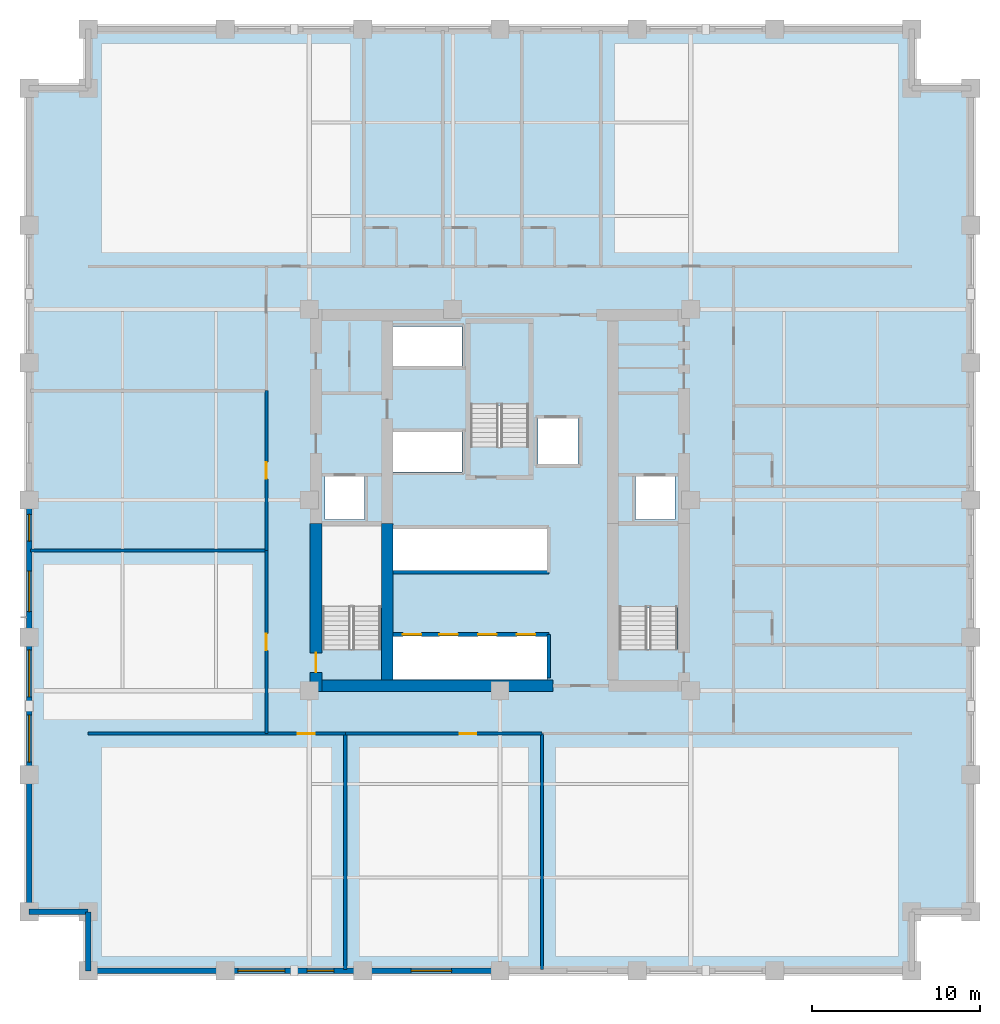
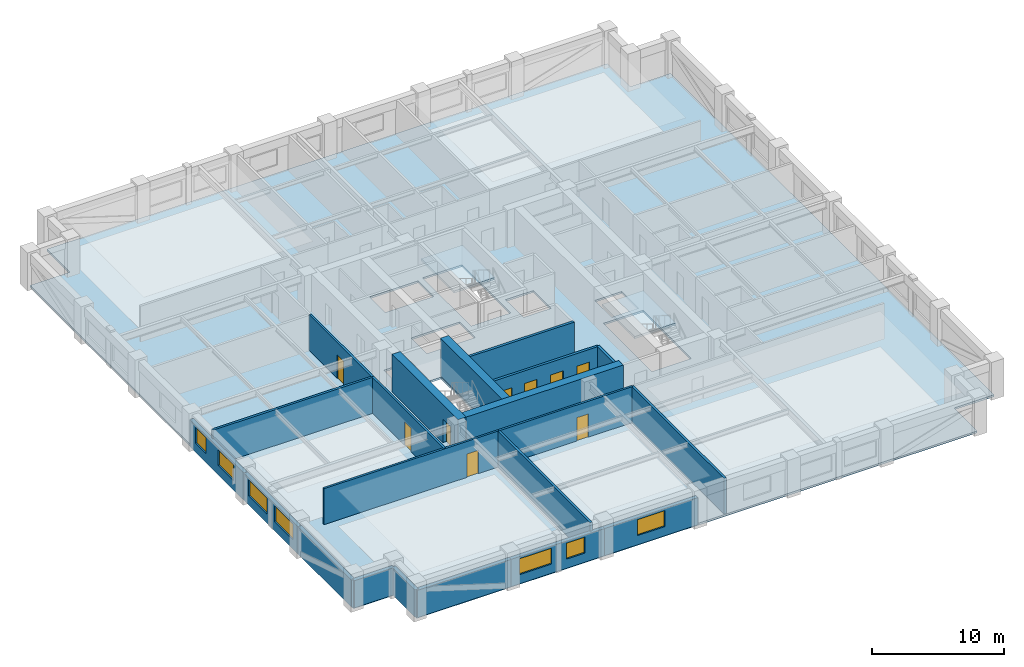
# One storey, part 3 of 12: 21 walls, 9 doors, 7 windows, 3 slabs, 16 openings, 2 elements without a shape of their own.
"""IFC4 building model written with IfcOpenShell, lengths in metres."""

from ifc_helpers import new_model, si_unit, direction, frame, frame_2d, origin, place, context, subcontext, project, spatial, polyline, rectangle, outline, extrude, material, layer, layer_set, type_object, element, fill, aggregate, save


model = new_model("IFC4")

# Units and contexts
model_context = context("Model", 3, precision=1e-05, world=origin(), true_north=direction((0.0, 1.0)))
body_context = subcontext(model_context, "Body", "Model", "MODEL_VIEW")
ifc_project = project(units=[si_unit("LENGTHUNIT", "METRE"), si_unit("AREAUNIT", "SQUARE_METRE"), si_unit("VOLUMEUNIT", "CUBIC_METRE"), si_unit("PLANEANGLEUNIT", "RADIAN"), si_unit("MASSUNIT", "GRAM", prefix="KILO")], contexts=[model_context])

# Site, building, storey
site_placement = place(None, origin())
site = spatial("IfcSite", under=ifc_project, at=site_placement, CompositionType="ELEMENT")
building_placement = place(site_placement, origin())
building = spatial("IfcBuilding", under=site, at=building_placement, Name="Nhamokura Convention Tower", CompositionType="ELEMENT")
storey_placement = place(building_placement, frame((0.0, 0.0, 49.35009765625)))
storey = spatial("IfcBuildingStorey", under=building, at=storey_placement, Name="L10", CompositionType="ELEMENT", Elevation=49.35009765625)

# Slab
ifc_material_1 = material(Name="Concrete C40/50", Category="concrete")
ifc_layer_1 = layer(ifc_material_1, 0.179931640625)
ifc_layer_set_1 = layer_set([ifc_layer_1], Name="HotelFloorSlab_180")
slab_type_1 = type_object("IfcSlabType", Name="HotelFloorSlab_180", PredefinedType="FLOOR", material=ifc_layer_set_1)
slab_1_placement = place(storey_placement, frame((0.0, 0.0, -0.18017578125)))
element("IfcSlab", 1, at=slab_1_placement, inside=storey, type_object=slab_type_1, Name="L10 Structural Floor Slab", PredefinedType="FLOOR", context=body_context, shape_type="SweptSolid", body=[
    extrude(outline(polyline([(7.5, 4.0), (56.5, 4.0), (56.5, 7.5), (60.0, 7.5), (60.0, 56.5), (56.5, 56.5), (56.5, 60.0), (7.5, 60.0), (7.5, 56.5), (4.0, 56.5), (4.0, 7.5), (7.5, 7.5), (7.5, 4.0)]), holes=[polyline([(24.89990234375, 23.10009765625), (24.89990234375, 30.449951171875), (21.449951171875, 30.449951171875), (21.449951171875, 23.10009765625), (24.89990234375, 23.10009765625)]), polyline([(42.550048828125, 23.10009765625), (42.550048828125, 30.449951171875), (39.10009765625, 30.449951171875), (39.10009765625, 23.10009765625), (42.550048828125, 23.10009765625)]), polyline([(33.699951171875, 35.14990234375), (33.699951171875, 42.5), (30.25, 42.5), (30.25, 35.14990234375), (33.699951171875, 35.14990234375)]), polyline([(21.60009765625, 30.85009765625), (23.949951171875, 30.85009765625), (23.949951171875, 33.39990234375), (21.60009765625, 33.39990234375), (21.60009765625, 30.85009765625)]), polyline([(40.050048828125, 30.85009765625), (42.39990234375, 30.85009765625), (42.39990234375, 33.39990234375), (40.050048828125, 33.39990234375), (40.050048828125, 30.85009765625)]), polyline([(34.25, 34.14990234375), (36.64990234375, 34.14990234375), (36.64990234375, 36.85009765625), (34.25, 36.85009765625), (34.25, 34.14990234375)]), polyline([(25.52001953125, 21.320068359375), (34.800048828125, 21.320068359375), (34.800048828125, 23.89990234375), (25.52001953125, 23.89990234375), (25.52001953125, 21.320068359375)]), polyline([(25.52001953125, 27.800048828125), (34.800048828125, 27.800048828125), (34.800048828125, 30.300048828125), (25.52001953125, 30.300048828125), (25.52001953125, 27.800048828125)]), polyline([(25.52001953125, 33.679931640625), (29.75, 33.679931640625), (29.75, 36.050048828125), (25.52001953125, 36.050048828125), (25.52001953125, 33.679931640625)]), polyline([(25.52001953125, 39.949951171875), (29.75, 39.949951171875), (29.75, 42.320068359375), (25.52001953125, 42.320068359375), (25.52001953125, 39.949951171875)])]), origin(), (0.0, 0.0, 1.0), 0.18017578125),
])

# Stair, slab
ifc_material_2 = material(Name="Concrete C40/50", Category="concrete")
stair_type = type_object("IfcStairType", Name="TowerCoreStair_1650", PredefinedType="HALF_TURN_STAIR", material=ifc_material_2)
stair_1_placement = place(storey_placement, origin())
stair_1 = element("IfcStair", 2, at=stair_1_placement, inside=storey, type_object=stair_type, Name="L10 East Core Smokeproof Stair ST-02", PredefinedType="HALF_TURN_STAIR")
ifc_material_3 = material(Name="Concrete C40/50", Category="concrete")
ifc_layer_2 = layer(ifc_material_3, 0.199951171875)
ifc_layer_set_2 = layer_set([ifc_layer_2], Name="StairLandingSlab_200")
slab_type_2 = type_object("IfcSlabType", Name="StairLandingSlab_200", PredefinedType="LANDING", material=ifc_layer_set_2)
slab_2_placement = place(storey_placement, frame((0.0, 0.0, 1.5498046875)))
slab_2 = element("IfcSlab", 3, at=slab_2_placement, type_object=slab_type_2, Name="ST-02 landing 1", PredefinedType="LANDING", context=body_context, shape_type="SweptSolid", body=[
    extrude(outline(polyline([(42.6298828125, 25.5849609375), (42.6298828125, 30.530029296875), (39.02001953125, 30.530029296875), (39.02001953125, 25.5849609375), (42.6298828125, 25.5849609375)])), origin(), (0.0, 0.0, 1.0), 0.2001953125),
])
aggregate(stair_1, [slab_2])

stair_2_placement = place(storey_placement, origin())
stair_2 = element("IfcStair", 4, at=stair_2_placement, inside=storey, type_object=stair_type, Name="L10 North Core Smokeproof Stair ST-03", PredefinedType="HALF_TURN_STAIR")
slab_3_placement = place(storey_placement, frame((0.0, 0.0, 1.5498046875)))
slab_3 = element("IfcSlab", 5, at=slab_3_placement, type_object=slab_type_2, Name="ST-03 landing 1", PredefinedType="LANDING", context=body_context, shape_type="SweptSolid", body=[
    extrude(outline(polyline([(33.780029296875, 37.635009765625), (33.780029296875, 42.580078125), (30.169921875, 42.580078125), (30.169921875, 37.635009765625), (33.780029296875, 37.635009765625)])), origin(), (0.0, 0.0, 1.0), 0.2001953125),
])
aggregate(stair_2, [slab_3])

# Wall
ifc_material_4 = material(Name="Bronze-pigmented precast concrete C45/55", Category="concrete")
ifc_layer_3 = layer(ifc_material_4, 0.320068359375)
ifc_layer_set_3 = layer_set([ifc_layer_3], Name="BronzePrecastSpandrel_320")
wall_type_1 = type_object("IfcWallType", Name="BronzePrecastSpandrel_320", PredefinedType="USERDEFINED", material=ifc_layer_set_3)
wall_1_placement = place(storey_placement, frame((15.666748046875, 4.0, 0.0), z_axis=(0.0, 0.0, 1.0), x_axis=(-1.0, 0.0, 0.0)))
element("IfcWall", 6, at=wall_1_placement, inside=storey, type_object=wall_type_1, Name="L10 Braced-Bay Precast Wall SOUTH 0", ObjectType="SPANDREL_WALL", PredefinedType="USERDEFINED", context=body_context, shape_type="SweptSolid", body=[
    extrude(rectangle(XDim=8.166748046875, YDim=0.320068359375, at=frame_2d((4.08349609375, 0.0))), origin(), (0.0, 0.0, 1.0), 2.52001953125),
])

# Wall, openings, windows
wall_2_placement = place(storey_placement, frame((23.833251953125, 4.0, 0.0), z_axis=(0.0, 0.0, 1.0), x_axis=(-1.0, 0.0, 0.0)))
wall_2 = element("IfcWall", 7, at=wall_2_placement, inside=storey, type_object=wall_type_1, Name="L10 Masonry-Frame Wall SOUTH 1", ObjectType="SPANDREL_WALL", PredefinedType="USERDEFINED", context=body_context, shape_type="SweptSolid", body=[
    extrude(rectangle(XDim=8.16650390625, YDim=0.320068359375, at=frame_2d((4.083251953125, 0.0))), origin(), (0.0, 0.0, 1.0), 2.52001953125),
])
opening_1_placement = place(wall_2_placement, frame((1.708251953125, 0.0, 0.85009765625)))
opening_1 = element("IfcOpeningElement", 8, at=opening_1_placement, cuts=wall_2, Name="Opening W-11", PredefinedType="OPENING", context=body_context, shape_type="SweptSolid", body=[
    extrude(rectangle(XDim=1.60009765625, YDim=1.469970703125, at=frame_2d((0.800048828125, 0.73486328125))), frame((0.0, 0.169921875, 0.0), z_axis=(0.0, -1.0, 0.0), x_axis=(1.0, 0.0, 0.0)), (0.0, 0.0, 1.0), 0.340087890625),
])
opening_2_placement = place(wall_2_placement, frame((4.625, 0.0, 0.85009765625)))
opening_2 = element("IfcOpeningElement", 9, at=opening_2_placement, cuts=wall_2, Name="Opening W-04", PredefinedType="OPENING", context=body_context, shape_type="SweptSolid", body=[
    extrude(rectangle(XDim=2.800048828125, YDim=1.469970703125, at=frame_2d((1.39990234375, 0.73486328125))), frame((0.0, 0.169921875, 0.0), z_axis=(0.0, -1.0, 0.0), x_axis=(1.0, 0.0, 0.0)), (0.0, 0.0, 1.0), 0.340087890625),
])
ifc_material_5 = material(Name="Solar-control bronze low-E double glass", Category="glass")
window_type_1 = type_object("IfcWindowType", Name="HotelSuiteWindow_2800", PartitioningType="DOUBLE_PANEL_VERTICAL", PredefinedType="WINDOW", material=ifc_material_5)
window_1_placement = place(opening_2_placement, origin())
window_1 = element("IfcWindow", 10, at=window_1_placement, inside=storey, type_object=window_type_1, Name="L10 Facade Window SOUTH 1-3", OverallHeight=1.469970703125, OverallWidth=2.800048828125, PartitioningType="SINGLE_PANEL", PredefinedType="WINDOW", context=body_context, shape_type="SweptSolid", body=[
    extrude(rectangle(XDim=2.800048828125, YDim=1.469970703125, at=frame_2d((1.39990234375, 0.73486328125))), frame((0.0, 0.030029296875, 0.0), z_axis=(0.0, -1.0, 0.0), x_axis=(1.0, 0.0, 0.0)), (0.0, 0.0, 1.0), 0.06005859375),
])
fill(opening_2, window_1)
ifc_material_6 = material(Name="Solar-control bronze low-E double glass", Category="glass")
window_type_2 = type_object("IfcWindowType", Name="NotchCornerWindow_1600", PartitioningType="SINGLE_PANEL", PredefinedType="WINDOW", material=ifc_material_6)
window_2_placement = place(opening_1_placement, origin())
window_2 = element("IfcWindow", 11, at=window_2_placement, inside=storey, type_object=window_type_2, Name="L10 Facade Window SOUTH 1-2", OverallHeight=1.469970703125, OverallWidth=1.60009765625, PartitioningType="SINGLE_PANEL", PredefinedType="WINDOW", context=body_context, shape_type="SweptSolid", body=[
    extrude(rectangle(XDim=1.60009765625, YDim=1.469970703125, at=frame_2d((0.800048828125, 0.73486328125))), frame((0.0, 0.030029296875, 0.0), z_axis=(0.0, -1.0, 0.0), x_axis=(1.0, 0.0, 0.0)), (0.0, 0.0, 1.0), 0.06005859375),
])
fill(opening_1, window_2)

# Wall, opening, window
wall_3_placement = place(storey_placement, frame((32.0, 4.0, 0.0), z_axis=(0.0, 0.0, 1.0), x_axis=(-1.0, 0.0, 0.0)))
wall_3 = element("IfcWall", 12, at=wall_3_placement, inside=storey, type_object=wall_type_1, Name="L10 Masonry-Frame Wall SOUTH 2", ObjectType="SPANDREL_WALL", PredefinedType="USERDEFINED", context=body_context, shape_type="SweptSolid", body=[
    extrude(rectangle(XDim=8.166748046875, YDim=0.320068359375, at=frame_2d((4.08349609375, 0.0))), origin(), (0.0, 0.0, 1.0), 2.52001953125),
])
opening_3_placement = place(wall_3_placement, frame((2.88330078125, 0.0, 0.85009765625)))
opening_3 = element("IfcOpeningElement", 13, at=opening_3_placement, cuts=wall_3, Name="Opening W-03", PredefinedType="OPENING", context=body_context, shape_type="SweptSolid", body=[
    extrude(rectangle(XDim=2.39990234375, YDim=1.469970703125, at=frame_2d((1.199951171875, 0.73486328125))), frame((0.0, 0.169921875, 0.0), z_axis=(0.0, -1.0, 0.0), x_axis=(1.0, 0.0, 0.0)), (0.0, 0.0, 1.0), 0.340087890625),
])
ifc_material_7 = material(Name="Solar-control bronze low-E double glass", Category="glass")
window_type_3 = type_object("IfcWindowType", Name="HotelBayWindow_2400", PartitioningType="DOUBLE_PANEL_VERTICAL", PredefinedType="WINDOW", material=ifc_material_7)
window_3_placement = place(opening_3_placement, origin())
window_3 = element("IfcWindow", 14, at=window_3_placement, inside=storey, type_object=window_type_3, Name="L10 Facade Window SOUTH 2", OverallHeight=1.469970703125, OverallWidth=2.39990234375, PartitioningType="SINGLE_PANEL", PredefinedType="WINDOW", context=body_context, shape_type="SweptSolid", body=[
    extrude(rectangle(XDim=2.39990234375, YDim=1.469970703125, at=frame_2d((1.199951171875, 0.73486328125))), frame((0.0, 0.030029296875, 0.0), z_axis=(0.0, -1.0, 0.0), x_axis=(1.0, 0.0, 0.0)), (0.0, 0.0, 1.0), 0.06005859375),
])
fill(opening_3, window_3)

# Wall
wall_4_placement = place(storey_placement, frame((4.0, 7.5, 0.0), z_axis=(0.0, 0.0, 1.0), x_axis=(0.0, 1.0, 0.0)))
element("IfcWall", 15, at=wall_4_placement, inside=storey, type_object=wall_type_1, Name="L10 Braced-Bay Precast Wall WEST 0", ObjectType="SPANDREL_WALL", PredefinedType="USERDEFINED", context=body_context, shape_type="SweptSolid", body=[
    extrude(rectangle(XDim=8.166748046875, YDim=0.320068359375, at=frame_2d((4.08349609375, 0.0))), origin(), (0.0, 0.0, 1.0), 2.52001953125),
])

# Wall, openings, windows
wall_5_placement = place(storey_placement, frame((4.0, 15.666748046875, 0.0), z_axis=(0.0, 0.0, 1.0), x_axis=(0.0, 1.0, 0.0)))
wall_5 = element("IfcWall", 16, at=wall_5_placement, inside=storey, type_object=wall_type_1, Name="L10 Masonry-Frame Wall WEST 1", ObjectType="SPANDREL_WALL", PredefinedType="USERDEFINED", context=body_context, shape_type="SweptSolid", body=[
    extrude(rectangle(XDim=8.16650390625, YDim=0.320068359375, at=frame_2d((4.083251953125, 0.0))), origin(), (0.0, 0.0, 1.0), 2.52001953125),
])
opening_4_placement = place(wall_5_placement, frame((0.74169921875, 0.0, 0.85009765625)))
opening_4 = element("IfcOpeningElement", 17, at=opening_4_placement, cuts=wall_5, Name="Opening W-04", PredefinedType="OPENING", context=body_context, shape_type="SweptSolid", body=[
    extrude(rectangle(XDim=2.800048828125, YDim=1.469970703125, at=frame_2d((1.39990234375, 0.73486328125))), frame((0.0, 0.169921875, 0.0), z_axis=(0.0, -1.0, 0.0), x_axis=(1.0, 0.0, 0.0)), (0.0, 0.0, 1.0), 0.340087890625),
])
opening_5_placement = place(wall_5_placement, frame((4.625, 0.0, 0.85009765625)))
opening_5 = element("IfcOpeningElement", 18, at=opening_5_placement, cuts=wall_5, Name="Opening W-04", PredefinedType="OPENING", context=body_context, shape_type="SweptSolid", body=[
    extrude(rectangle(XDim=2.800048828125, YDim=1.469970703125, at=frame_2d((1.39990234375, 0.73486328125))), frame((0.0, 0.169921875, 0.0), z_axis=(0.0, -1.0, 0.0), x_axis=(1.0, 0.0, 0.0)), (0.0, 0.0, 1.0), 0.340087890625),
])
window_4_placement = place(opening_4_placement, origin())
window_4 = element("IfcWindow", 19, at=window_4_placement, inside=storey, type_object=window_type_1, Name="L10 Facade Window WEST 1-1", OverallHeight=1.469970703125, OverallWidth=2.800048828125, PartitioningType="SINGLE_PANEL", PredefinedType="WINDOW", context=body_context, shape_type="SweptSolid", body=[
    extrude(rectangle(XDim=2.800048828125, YDim=1.469970703125, at=frame_2d((1.39990234375, 0.73486328125))), frame((0.0, 0.030029296875, 0.0), z_axis=(0.0, -1.0, 0.0), x_axis=(1.0, 0.0, 0.0)), (0.0, 0.0, 1.0), 0.06005859375),
])
fill(opening_4, window_4)
window_5_placement = place(opening_5_placement, origin())
window_5 = element("IfcWindow", 20, at=window_5_placement, inside=storey, type_object=window_type_1, Name="L10 Facade Window WEST 1-2", OverallHeight=1.469970703125, OverallWidth=2.800048828125, PartitioningType="SINGLE_PANEL", PredefinedType="WINDOW", context=body_context, shape_type="SweptSolid", body=[
    extrude(rectangle(XDim=2.800048828125, YDim=1.469970703125, at=frame_2d((1.39990234375, 0.73486328125))), frame((0.0, 0.030029296875, 0.0), z_axis=(0.0, -1.0, 0.0), x_axis=(1.0, 0.0, 0.0)), (0.0, 0.0, 1.0), 0.06005859375),
])
fill(opening_5, window_5)

wall_6_placement = place(storey_placement, frame((4.0, 23.833251953125, 0.0), z_axis=(0.0, 0.0, 1.0), x_axis=(0.0, 1.0, 0.0)))
wall_6 = element("IfcWall", 21, at=wall_6_placement, inside=storey, type_object=wall_type_1, Name="L10 Masonry-Frame Wall WEST 2", ObjectType="SPANDREL_WALL", PredefinedType="USERDEFINED", context=body_context, shape_type="SweptSolid", body=[
    extrude(rectangle(XDim=8.166748046875, YDim=0.320068359375, at=frame_2d((4.08349609375, 0.0))), origin(), (0.0, 0.0, 1.0), 2.52001953125),
])
opening_6_placement = place(wall_6_placement, frame((1.533203125, 0.0, 0.85009765625)))
opening_6 = element("IfcOpeningElement", 22, at=opening_6_placement, cuts=wall_6, Name="Opening W-03", PredefinedType="OPENING", context=body_context, shape_type="SweptSolid", body=[
    extrude(rectangle(XDim=2.39990234375, YDim=1.469970703125, at=frame_2d((1.199951171875, 0.73486328125))), frame((0.0, 0.169921875, 0.0), z_axis=(0.0, -1.0, 0.0), x_axis=(1.0, 0.0, 0.0)), (0.0, 0.0, 1.0), 0.340087890625),
])
opening_7_placement = place(wall_6_placement, frame((5.716796875, 0.0, 0.85009765625)))
opening_7 = element("IfcOpeningElement", 23, at=opening_7_placement, cuts=wall_6, Name="Opening W-11", PredefinedType="OPENING", context=body_context, shape_type="SweptSolid", body=[
    extrude(rectangle(XDim=1.60009765625, YDim=1.469970703125, at=frame_2d((0.800048828125, 0.73486328125))), frame((0.0, 0.169921875, 0.0), z_axis=(0.0, -1.0, 0.0), x_axis=(1.0, 0.0, 0.0)), (0.0, 0.0, 1.0), 0.340087890625),
])
window_6_placement = place(opening_6_placement, origin())
window_6 = element("IfcWindow", 24, at=window_6_placement, inside=storey, type_object=window_type_3, Name="L10 Facade Window WEST 2-1", OverallHeight=1.469970703125, OverallWidth=2.39990234375, PartitioningType="SINGLE_PANEL", PredefinedType="WINDOW", context=body_context, shape_type="SweptSolid", body=[
    extrude(rectangle(XDim=2.39990234375, YDim=1.469970703125, at=frame_2d((1.199951171875, 0.73486328125))), frame((0.0, 0.030029296875, 0.0), z_axis=(0.0, -1.0, 0.0), x_axis=(1.0, 0.0, 0.0)), (0.0, 0.0, 1.0), 0.06005859375),
])
fill(opening_6, window_6)
window_7_placement = place(opening_7_placement, origin())
window_7 = element("IfcWindow", 25, at=window_7_placement, inside=storey, type_object=window_type_2, Name="L10 Facade Window WEST 2-2", OverallHeight=1.469970703125, OverallWidth=1.60009765625, PartitioningType="SINGLE_PANEL", PredefinedType="WINDOW", context=body_context, shape_type="SweptSolid", body=[
    extrude(rectangle(XDim=1.60009765625, YDim=1.469970703125, at=frame_2d((0.800048828125, 0.73486328125))), frame((0.0, 0.030029296875, 0.0), z_axis=(0.0, -1.0, 0.0), x_axis=(1.0, 0.0, 0.0)), (0.0, 0.0, 1.0), 0.06005859375),
])
fill(opening_7, window_7)

# Walls
for number, where, z_axis, x_axis, name in (
    (26, (7.5, 4.0, 0.0), (0.0, 0.0, 1.0), (0.0, 1.0, 0.0), "L10 Notched Corner Wall SW1"),
    (27, (7.5, 7.5, 0.0), (0.0, 0.0, 1.0), (-1.0, 0.0, 0.0), "L10 Notched Corner Wall SW2"),
):
    element("IfcWall", number, at=place(storey_placement, frame(where, z_axis=z_axis, x_axis=x_axis)), inside=storey, type_object=wall_type_1, Name=name, ObjectType="SPANDREL_WALL", PredefinedType="USERDEFINED", context=body_context, shape_type="SweptSolid", body=[
        extrude(rectangle(XDim=3.5, YDim=0.320068359375, at=frame_2d((1.75, 0.0))), origin(), (0.0, 0.0, 1.0), 2.52001953125),
    ])

# Wall, opening, door
ifc_material_8 = material(Name="Concrete C70/85", Category="concrete")
ifc_layer_4 = layer(ifc_material_8, 0.699951171875)
ifc_layer_set_4 = layer_set([ifc_layer_4], Name="CoreShearWall_700")
wall_type_2 = type_object("IfcWallType", Name="CoreShearWall_700", PredefinedType="SHEAR", material=ifc_layer_set_4)
wall_7_placement = place(storey_placement, frame((21.06005859375, 20.60009765625, 0.0), z_axis=(0.0, 0.0, 1.0), x_axis=(0.0, 1.0, 0.0)))
wall_7 = element("IfcWall", 28, at=wall_7_placement, inside=storey, type_object=wall_type_2, Name="L10 Core Shear Wall CW-WS", PredefinedType="SHEAR", context=body_context, shape_type="SweptSolid", body=[
    extrude(rectangle(XDim=10.0, YDim=0.699951171875, at=frame_2d((5.0, 0.0))), origin(), (0.0, 0.0, 1.0), 3.5),
])
opening_8_placement = place(wall_7_placement, frame((1.14990234375, 0.0, 0.0)))
opening_8 = element("IfcOpeningElement", 29, at=opening_8_placement, cuts=wall_7, Name="Opening D-04", PredefinedType="OPENING", context=body_context, shape_type="SweptSolid", body=[
    extrude(rectangle(XDim=1.14990234375, YDim=2.14990234375, at=frame_2d((0.574951171875, 1.074951171875))), frame((0.0, 0.35986328125, 0.0), z_axis=(0.0, -1.0, 0.0), x_axis=(1.0, 0.0, 0.0)), (0.0, 0.0, 1.0), 0.719970703125),
])
ifc_material_9 = material(Name="Fire-rated steel door", Category="steel")
door_type_1 = type_object("IfcDoorType", Name="StairSmokeDoor_1150", OperationType="NOTDEFINED", PredefinedType="DOOR", material=ifc_material_9)
door_1_placement = place(opening_8_placement, origin())
door_1 = element("IfcDoor", 30, at=door_1_placement, inside=storey, type_object=door_type_1, Name="L10 Core Door INT-L10-D-ST01", OperationType="SINGLE_SWING_LEFT", OverallHeight=2.14990234375, OverallWidth=1.14990234375, PredefinedType="DOOR", context=body_context, shape_type="SweptSolid", body=[
    extrude(rectangle(XDim=1.14990234375, YDim=2.14990234375, at=frame_2d((0.574951171875, 1.074951171875))), frame((0.0, 0.02490234375, 0.0), z_axis=(0.0, -1.0, 0.0), x_axis=(1.0, 0.0, 0.0)), (0.0, 0.0, 1.0), 0.050048828125),
])
fill(opening_8, door_1)

# Walls
wall_8_placement = place(storey_placement, frame((21.409912109375, 20.949951171875, 0.0), z_axis=(0.0, 0.0, 1.0), x_axis=(1.0, 0.0, 0.0)))
element("IfcWall", 31, at=wall_8_placement, inside=storey, type_object=wall_type_2, Name="L10 Core Shear Wall CW-S1", PredefinedType="SHEAR", context=body_context, shape_type="SweptSolid", body=[
    extrude(rectangle(XDim=13.739990234375, YDim=0.699951171875, at=frame_2d((6.8701171875, 0.0))), origin(), (0.0, 0.0, 1.0), 3.5),
])
wall_9_placement = place(storey_placement, frame((25.2900390625, 21.300048828125, 0.0), z_axis=(0.0, 0.0, 1.0), x_axis=(0.0, 1.0, 0.0)))
element("IfcWall", 32, at=wall_9_placement, inside=storey, type_object=wall_type_2, Name="L10 Core Shear Wall CW-IWS", PredefinedType="SHEAR", context=body_context, shape_type="SweptSolid", body=[
    extrude(rectangle(XDim=9.300048828125, YDim=0.699951171875, at=frame_2d((4.64990234375, 0.0))), origin(), (0.0, 0.0, 1.0), 3.5),
])

# Wall, opening, door
ifc_material_10 = material(Name="Fire-rated gypsum and masonry partition", Category="masonry")
ifc_layer_5 = layer(ifc_material_10, 0.179931640625)
ifc_layer_set_5 = layer_set([ifc_layer_5], Name="CorridorRatedWall_180")
wall_type_3 = type_object("IfcWallType", Name="CorridorRatedWall_180", PredefinedType="STANDARD", material=ifc_layer_set_5)
wall_10_placement = place(storey_placement, frame((7.5, 18.10009765625, 0.0), z_axis=(0.0, 0.0, 1.0), x_axis=(1.0, 0.0, 0.0)))
wall_10 = element("IfcWall", 33, at=wall_10_placement, inside=storey, type_object=wall_type_3, Name="L10 Wall INT-L10-CW-S00", PredefinedType="STANDARD", context=body_context, shape_type="SweptSolid", body=[
    extrude(rectangle(XDim=15.300048828125, YDim=0.179931640625, at=frame_2d((7.64990234375, 0.0))), origin(), (0.0, 0.0, 1.0), 3.31982421875),
])
opening_9_placement = place(wall_10_placement, frame((12.47509765625, 0.0, 0.0)))
opening_9 = element("IfcOpeningElement", 34, at=opening_9_placement, cuts=wall_10, Name="Opening D-07", PredefinedType="OPENING", context=body_context, shape_type="SweptSolid", body=[
    extrude(rectangle(XDim=1.0, YDim=2.14990234375, at=frame_2d((0.5, 1.074951171875))), frame((0.0, 0.099853515625, 0.0), z_axis=(0.0, -1.0, 0.0), x_axis=(1.0, 0.0, 0.0)), (0.0, 0.0, 1.0), 0.199951171875),
])
ifc_material_11 = material(Name="Solid oak hardwood", Category="wood")
door_type_2 = type_object("IfcDoorType", Name="HotelSuiteEntryDoor_1000", OperationType="NOTDEFINED", PredefinedType="DOOR", material=ifc_material_11)
door_2_placement = place(opening_9_placement, origin())
door_2 = element("IfcDoor", 35, at=door_2_placement, inside=storey, type_object=door_type_2, Name="L10 Conference Salon S01 Door", OperationType="SINGLE_SWING_LEFT", OverallHeight=2.14990234375, OverallWidth=1.0, PredefinedType="DOOR", context=body_context, shape_type="SweptSolid", body=[
    extrude(rectangle(XDim=1.0, YDim=2.14990234375, at=frame_2d((0.5, 1.074951171875))), frame((0.0, 0.02490234375, 0.0), z_axis=(0.0, -1.0, 0.0), x_axis=(1.0, 0.0, 0.0)), (0.0, 0.0, 1.0), 0.050048828125),
])
fill(opening_9, door_2)

wall_11_placement = place(storey_placement, frame((22.800048828125, 18.10009765625, 0.0), z_axis=(0.0, 0.0, 1.0), x_axis=(1.0, 0.0, 0.0)))
wall_11 = element("IfcWall", 36, at=wall_11_placement, inside=storey, type_object=wall_type_3, Name="L10 Wall INT-L10-CW-S01", PredefinedType="STANDARD", context=body_context, shape_type="SweptSolid", body=[
    extrude(rectangle(XDim=11.699951171875, YDim=0.179931640625, at=frame_2d((5.85009765625, 0.0))), origin(), (0.0, 0.0, 1.0), 3.31982421875),
])
opening_10_placement = place(wall_11_placement, frame((6.800048828125, 0.0, 0.0)))
opening_10 = element("IfcOpeningElement", 37, at=opening_10_placement, cuts=wall_11, Name="Opening D-07", PredefinedType="OPENING", context=body_context, shape_type="SweptSolid", body=[
    extrude(rectangle(XDim=1.0, YDim=2.14990234375, at=frame_2d((0.5, 1.074951171875))), frame((0.0, 0.099853515625, 0.0), z_axis=(0.0, -1.0, 0.0), x_axis=(1.0, 0.0, 0.0)), (0.0, 0.0, 1.0), 0.199951171875),
])
door_3_placement = place(opening_10_placement, origin())
door_3 = element("IfcDoor", 38, at=door_3_placement, inside=storey, type_object=door_type_2, Name="L10 Conference Salon S02 Door", OperationType="SINGLE_SWING_RIGHT", OverallHeight=2.14990234375, OverallWidth=1.0, PredefinedType="DOOR", context=body_context, shape_type="SweptSolid", body=[
    extrude(rectangle(XDim=1.0, YDim=2.14990234375, at=frame_2d((0.5, 1.074951171875))), frame((0.0, 0.02490234375, 0.0), z_axis=(0.0, -1.0, 0.0), x_axis=(1.0, 0.0, 0.0)), (0.0, 0.0, 1.0), 0.050048828125),
])
fill(opening_10, door_3)

wall_12_placement = place(storey_placement, frame((18.10009765625, 18.10009765625, 0.0), z_axis=(0.0, 0.0, 1.0), x_axis=(0.0, 1.0, 0.0)))
wall_12 = element("IfcWall", 39, at=wall_12_placement, inside=storey, type_object=wall_type_3, Name="L10 Wall INT-L10-CW-W00", PredefinedType="STANDARD", context=body_context, shape_type="SweptSolid", body=[
    extrude(rectangle(XDim=10.89990234375, YDim=0.179931640625, at=frame_2d((5.449951171875, 0.0))), origin(), (0.0, 0.0, 1.0), 3.31982421875),
])
opening_11_placement = place(wall_12_placement, frame((4.949951171875, 0.0, 0.0)))
opening_11 = element("IfcOpeningElement", 40, at=opening_11_placement, cuts=wall_12, Name="Opening D-07", PredefinedType="OPENING", context=body_context, shape_type="SweptSolid", body=[
    extrude(rectangle(XDim=1.0, YDim=2.14990234375, at=frame_2d((0.5, 1.074951171875))), frame((0.0, 0.099853515625, 0.0), z_axis=(0.0, -1.0, 0.0), x_axis=(1.0, 0.0, 0.0)), (0.0, 0.0, 1.0), 0.199951171875),
])
door_4_placement = place(opening_11_placement, origin())
door_4 = element("IfcDoor", 41, at=door_4_placement, inside=storey, type_object=door_type_2, Name="L10 Reading Lounge W01 Door", OperationType="SINGLE_SWING_LEFT", OverallHeight=2.14990234375, OverallWidth=1.0, PredefinedType="DOOR", context=body_context, shape_type="SweptSolid", body=[
    extrude(rectangle(XDim=1.0, YDim=2.14990234375, at=frame_2d((0.5, 1.074951171875))), frame((0.0, 0.02490234375, 0.0), z_axis=(0.0, -1.0, 0.0), x_axis=(1.0, 0.0, 0.0)), (0.0, 0.0, 1.0), 0.050048828125),
])
fill(opening_11, door_4)

wall_13_placement = place(storey_placement, frame((18.10009765625, 29.0, 0.0), z_axis=(0.0, 0.0, 1.0), x_axis=(0.0, 1.0, 0.0)))
wall_13 = element("IfcWall", 42, at=wall_13_placement, inside=storey, type_object=wall_type_3, Name="L10 Wall INT-L10-CW-W01", PredefinedType="STANDARD", context=body_context, shape_type="SweptSolid", body=[
    extrude(rectangle(XDim=9.5, YDim=0.179931640625, at=frame_2d((4.75, 0.0))), origin(), (0.0, 0.0, 1.0), 3.31982421875),
])
opening_12_placement = place(wall_13_placement, frame((4.25, 0.0, 0.0)))
opening_12 = element("IfcOpeningElement", 43, at=opening_12_placement, cuts=wall_13, Name="Opening D-07", PredefinedType="OPENING", context=body_context, shape_type="SweptSolid", body=[
    extrude(rectangle(XDim=1.0, YDim=2.14990234375, at=frame_2d((0.5, 1.074951171875))), frame((0.0, 0.099853515625, 0.0), z_axis=(0.0, -1.0, 0.0), x_axis=(1.0, 0.0, 0.0)), (0.0, 0.0, 1.0), 0.199951171875),
])
door_5_placement = place(opening_12_placement, origin())
door_5 = element("IfcDoor", 44, at=door_5_placement, inside=storey, type_object=door_type_2, Name="L10 Pantry W02 Door", OperationType="SINGLE_SWING_RIGHT", OverallHeight=2.14990234375, OverallWidth=1.0, PredefinedType="DOOR", context=body_context, shape_type="SweptSolid", body=[
    extrude(rectangle(XDim=1.0, YDim=2.14990234375, at=frame_2d((0.5, 1.074951171875))), frame((0.0, 0.02490234375, 0.0), z_axis=(0.0, -1.0, 0.0), x_axis=(1.0, 0.0, 0.0)), (0.0, 0.0, 1.0), 0.050048828125),
])
fill(opening_12, door_5)

# Wall, openings, doors
ifc_material_12 = material(Name="Autoclaved concrete blockwork", Category="masonry")
ifc_layer_6 = layer(ifc_material_12, 0.219970703125)
ifc_layer_set_6 = layer_set([ifc_layer_6], Name="FireLobbyWall_220")
wall_type_4 = type_object("IfcWallType", Name="FireLobbyWall_220", PredefinedType="STANDARD", material=ifc_layer_set_6)
wall_14_placement = place(storey_placement, frame((25.64990234375, 24.0, 0.0), z_axis=(0.0, 0.0, 1.0), x_axis=(1.0, 0.0, 0.0)))
wall_14 = element("IfcWall", 45, at=wall_14_placement, inside=storey, type_object=wall_type_4, Name="L10 Wall INT-L10-B1N", PredefinedType="STANDARD", context=body_context, shape_type="SweptSolid", body=[
    extrude(rectangle(XDim=9.25, YDim=0.219970703125, at=frame_2d((4.625, 0.0))), origin(), (0.0, 0.0, 1.0), 3.31982421875),
])
opening_13_placement = place(wall_14_placement, frame((0.580078125, 0.0, 0.0)))
opening_13 = element("IfcOpeningElement", 46, at=opening_13_placement, cuts=wall_14, Name="Opening LD-01", PredefinedType="OPENING", context=body_context, shape_type="SweptSolid", body=[
    extrude(rectangle(XDim=1.10009765625, YDim=2.14990234375, at=frame_2d((0.550048828125, 1.074951171875))), frame((0.0, 0.119873046875, 0.0), z_axis=(0.0, -1.0, 0.0), x_axis=(1.0, 0.0, 0.0)), (0.0, 0.0, 1.0), 0.239990234375),
])
opening_14_placement = place(wall_14_placement, frame((2.75, 0.0, 0.0)))
opening_14 = element("IfcOpeningElement", 47, at=opening_14_placement, cuts=wall_14, Name="Opening LD-01", PredefinedType="OPENING", context=body_context, shape_type="SweptSolid", body=[
    extrude(rectangle(XDim=1.10009765625, YDim=2.14990234375, at=frame_2d((0.550048828125, 1.074951171875))), frame((0.0, 0.119873046875, 0.0), z_axis=(0.0, -1.0, 0.0), x_axis=(1.0, 0.0, 0.0)), (0.0, 0.0, 1.0), 0.239990234375),
])
opening_15_placement = place(wall_14_placement, frame((5.050048828125, 0.0, 0.0)))
opening_15 = element("IfcOpeningElement", 48, at=opening_15_placement, cuts=wall_14, Name="Opening LD-01", PredefinedType="OPENING", context=body_context, shape_type="SweptSolid", body=[
    extrude(rectangle(XDim=1.10009765625, YDim=2.14990234375, at=frame_2d((0.550048828125, 1.074951171875))), frame((0.0, 0.119873046875, 0.0), z_axis=(0.0, -1.0, 0.0), x_axis=(1.0, 0.0, 0.0)), (0.0, 0.0, 1.0), 0.239990234375),
])
opening_16_placement = place(wall_14_placement, frame((7.35009765625, 0.0, 0.0)))
opening_16 = element("IfcOpeningElement", 49, at=opening_16_placement, cuts=wall_14, Name="Opening LD-01", PredefinedType="OPENING", context=body_context, shape_type="SweptSolid", body=[
    extrude(rectangle(XDim=1.10009765625, YDim=2.14990234375, at=frame_2d((0.550048828125, 1.074951171875))), frame((0.0, 0.119873046875, 0.0), z_axis=(0.0, -1.0, 0.0), x_axis=(1.0, 0.0, 0.0)), (0.0, 0.0, 1.0), 0.239990234375),
])
ifc_material_13 = material(Name="Anodised bronze stainless steel", Category="steel")
door_type_3 = type_object("IfcDoorType", Name="LiftLandingDoor_Passenger", OperationType="DOUBLE_DOOR_SLIDING", PredefinedType="DOOR", material=ifc_material_13)
door_6_placement = place(opening_13_placement, origin())
door_6 = element("IfcDoor", 50, at=door_6_placement, inside=storey, type_object=door_type_3, Name="L10 Lift LP-01 Landing Door", OperationType="DOUBLE_DOOR_SLIDING", OverallHeight=2.14990234375, OverallWidth=1.10009765625, PredefinedType="DOOR", context=body_context, shape_type="SweptSolid", body=[
    extrude(rectangle(XDim=1.10009765625, YDim=2.14990234375, at=frame_2d((0.550048828125, 1.074951171875))), frame((0.0, 0.02490234375, 0.0), z_axis=(0.0, -1.0, 0.0), x_axis=(1.0, 0.0, 0.0)), (0.0, 0.0, 1.0), 0.050048828125),
])
fill(opening_13, door_6)
door_7_placement = place(opening_14_placement, origin())
door_7 = element("IfcDoor", 51, at=door_7_placement, inside=storey, type_object=door_type_3, Name="L10 Lift LP-02 Landing Door", OperationType="DOUBLE_DOOR_SLIDING", OverallHeight=2.14990234375, OverallWidth=1.10009765625, PredefinedType="DOOR", context=body_context, shape_type="SweptSolid", body=[
    extrude(rectangle(XDim=1.10009765625, YDim=2.14990234375, at=frame_2d((0.550048828125, 1.074951171875))), frame((0.0, 0.02490234375, 0.0), z_axis=(0.0, -1.0, 0.0), x_axis=(1.0, 0.0, 0.0)), (0.0, 0.0, 1.0), 0.050048828125),
])
fill(opening_14, door_7)
door_8_placement = place(opening_15_placement, origin())
door_8 = element("IfcDoor", 52, at=door_8_placement, inside=storey, type_object=door_type_3, Name="L10 Lift LP-03 Landing Door", OperationType="DOUBLE_DOOR_SLIDING", OverallHeight=2.14990234375, OverallWidth=1.10009765625, PredefinedType="DOOR", context=body_context, shape_type="SweptSolid", body=[
    extrude(rectangle(XDim=1.10009765625, YDim=2.14990234375, at=frame_2d((0.550048828125, 1.074951171875))), frame((0.0, 0.02490234375, 0.0), z_axis=(0.0, -1.0, 0.0), x_axis=(1.0, 0.0, 0.0)), (0.0, 0.0, 1.0), 0.050048828125),
])
fill(opening_15, door_8)
door_9_placement = place(opening_16_placement, origin())
door_9 = element("IfcDoor", 53, at=door_9_placement, inside=storey, type_object=door_type_3, Name="L10 Lift LP-04 Landing Door", OperationType="DOUBLE_DOOR_SLIDING", OverallHeight=2.14990234375, OverallWidth=1.10009765625, PredefinedType="DOOR", context=body_context, shape_type="SweptSolid", body=[
    extrude(rectangle(XDim=1.10009765625, YDim=2.14990234375, at=frame_2d((0.550048828125, 1.074951171875))), frame((0.0, 0.02490234375, 0.0), z_axis=(0.0, -1.0, 0.0), x_axis=(1.0, 0.0, 0.0)), (0.0, 0.0, 1.0), 0.050048828125),
])
fill(opening_16, door_9)

# Walls
wall_15_placement = place(storey_placement, frame((34.89990234375, 21.39990234375, 0.0), z_axis=(0.0, 0.0, 1.0), x_axis=(0.0, 1.0, 0.0)))
element("IfcWall", 54, at=wall_15_placement, inside=storey, type_object=wall_type_4, Name="L10 Wall INT-L10-B1E", PredefinedType="STANDARD", context=body_context, shape_type="SweptSolid", body=[
    extrude(rectangle(XDim=2.60009765625, YDim=0.219970703125, at=frame_2d((1.300048828125, 0.0))), origin(), (0.0, 0.0, 1.0), 3.31982421875),
])
wall_16_placement = place(storey_placement, frame((25.64990234375, 27.699951171875, 0.0), z_axis=(0.0, 0.0, 1.0), x_axis=(1.0, 0.0, 0.0)))
element("IfcWall", 55, at=wall_16_placement, inside=storey, type_object=wall_type_4, Name="L10 Wall INT-L10-B2S", PredefinedType="STANDARD", context=body_context, shape_type="SweptSolid", body=[
    extrude(rectangle(XDim=9.25, YDim=0.219970703125, at=frame_2d((4.625, 0.0))), origin(), (0.0, 0.0, 1.0), 3.31982421875),
])
ifc_material_14 = material(Name="Acoustic twin-stud gypsum partition", Category="masonry")
ifc_layer_7 = layer(ifc_material_14, 0.199951171875)
ifc_layer_set_7 = layer_set([ifc_layer_7], Name="HotelDemisingWall_200")
wall_type_5 = type_object("IfcWallType", Name="HotelDemisingWall_200", PredefinedType="STANDARD", material=ifc_layer_set_7)
for number, where, z_axis, x_axis, name in (
    (56, (22.800048828125, 4.06005859375, 0.0), (0.0, 0.0, 1.0), (0.0, 1.0, 0.0), "L10 Wall INT-L10-RW-S01"),
    (57, (34.5, 4.06005859375, 0.0), (0.0, 0.0, 1.0), (0.0, 1.0, 0.0), "L10 Wall INT-L10-RW-S02"),
    (58, (4.06005859375, 29.0, 0.0), (0.0, 0.0, 1.0), (1.0, 0.0, 0.0), "L10 Wall INT-L10-RW-W01"),
):
    element("IfcWall", number, at=place(storey_placement, frame(where, z_axis=z_axis, x_axis=x_axis)), inside=storey, type_object=wall_type_5, Name=name, PredefinedType="STANDARD", context=body_context, shape_type="SweptSolid", body=[
        extrude(rectangle(XDim=14.0400390625, YDim=0.199951171875, at=frame_2d((7.02001953125, 0.0))), origin(), (0.0, 0.0, 1.0), 3.31982421875),
    ])

save(model, "model.ifc")
